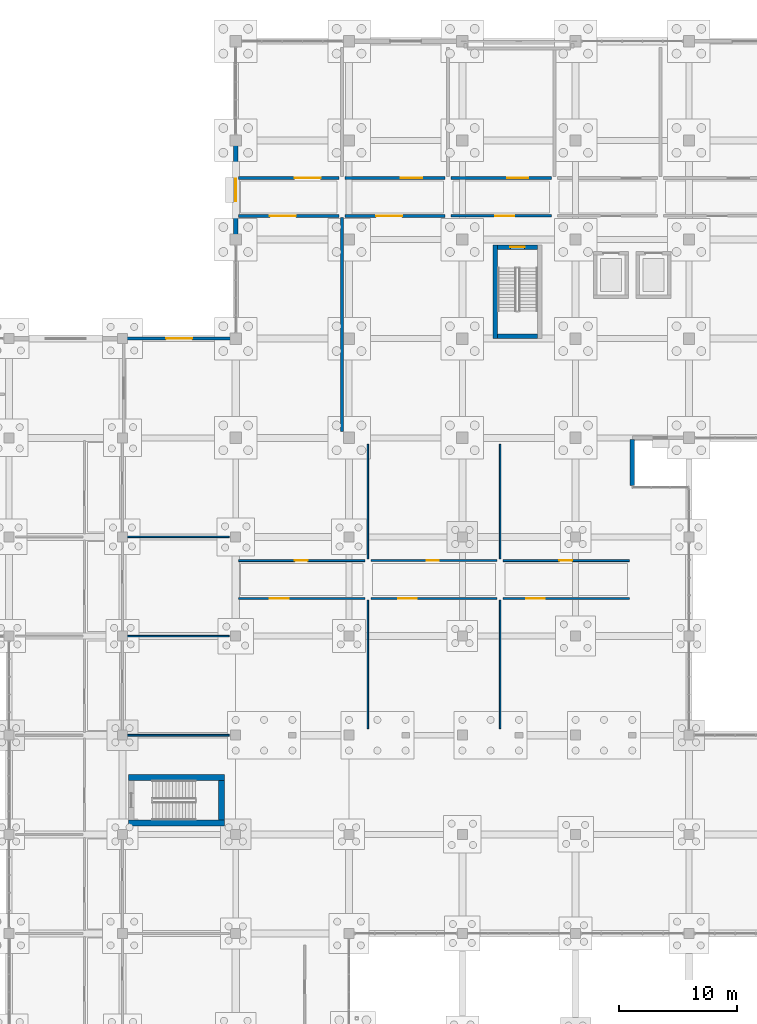
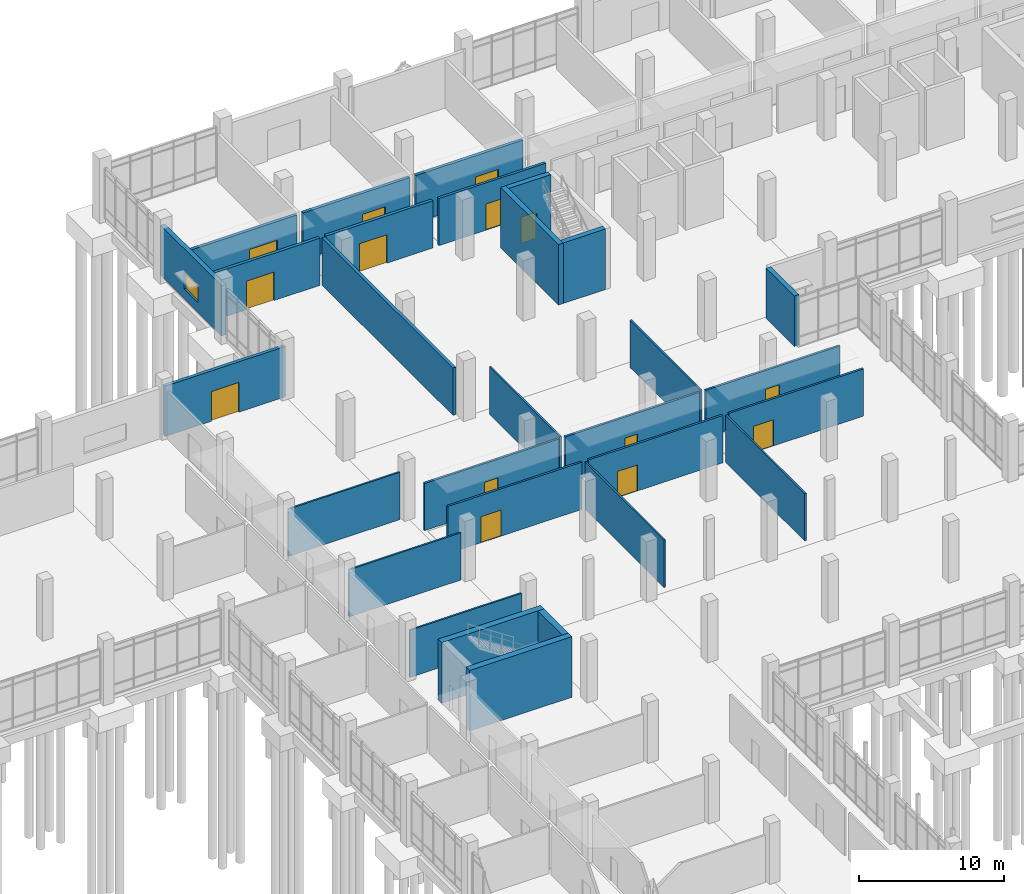
# One storey, part 115 of 136: 29 walls, 14 doors, 1 window, 15 openings.
"""IFC4 building model written with IfcOpenShell, lengths in metres."""

from ifc_helpers import new_model, si_unit, direction, frame, frame_2d, origin, place, context, subcontext, project, spatial, rectangle, extrude, material, layer, layer_set, type_object, element, fill, save


model = new_model("IFC4")

# Units and contexts
model_context = context("Model", 3, precision=1e-05, world=origin(), true_north=direction((0.0, 1.0)))
body_context = subcontext(model_context, "Body", "Model", "MODEL_VIEW")
ifc_project = project(units=[si_unit("LENGTHUNIT", "METRE"), si_unit("AREAUNIT", "SQUARE_METRE"), si_unit("VOLUMEUNIT", "CUBIC_METRE"), si_unit("PLANEANGLEUNIT", "RADIAN"), si_unit("MASSUNIT", "GRAM", prefix="KILO")], contexts=[model_context])

# Site, building, storey
site_placement = place(None, origin())
site = spatial("IfcSite", under=ifc_project, at=site_placement, CompositionType="ELEMENT")
building_placement = place(site_placement, origin())
building = spatial("IfcBuilding", under=site, at=building_placement, Name="Oolite Switchyard Hospital", CompositionType="ELEMENT")
storey_placement = place(building_placement, origin())
storey = spatial("IfcBuildingStorey", under=building, at=storey_placement, Name="L00", CompositionType="ELEMENT", Elevation=0.0)

# Wall, opening, door
ifc_material_1 = material(Name="Precast oolitic limestone architectural concrete C40/50", Category="masonry")
ifc_layer_1 = layer(ifc_material_1, 0.260009765625)
ifc_layer_set_1 = layer_set([ifc_layer_1], Name="WAL-EXT-260")
wall_type_1 = type_object("IfcWallType", Name="WAL-EXT-260", PredefinedType="SOLIDWALL", material=ifc_layer_set_1)
wall_1_placement = place(storey_placement, frame((124.800048828125, 109.199951171875, 0.0), z_axis=(0.0, 0.0, 1.0), x_axis=(1.0, 0.0, 0.0)))
wall_1 = element("IfcWall", 1, at=wall_1_placement, inside=storey, type_object=wall_type_1, Name="L00 Exterior Spandrel Wall 28", PredefinedType="SOLIDWALL", context=body_context, shape_type="SweptSolid", body=[
    extrude(rectangle(XDim=9.599853515625, YDim=0.260009765625, at=frame_2d((4.7998046875, 0.0))), origin(), (0.0, 0.0, 1.0), 4.239990234375),
])
opening_1_placement = place(wall_1_placement, frame((3.699951171875, 0.0, 0.0)))
opening_1 = element("IfcOpeningElement", 2, at=opening_1_placement, cuts=wall_1, Name="Opening EX-12", PredefinedType="OPENING", context=body_context, shape_type="SweptSolid", body=[
    extrude(rectangle(XDim=2.199951171875, YDim=2.5, at=frame_2d((1.10009765625, 1.25))), frame((0.0, 0.14013671875, 0.0), z_axis=(0.0, -1.0, 0.0), x_axis=(1.0, 0.0, 0.0)), (0.0, 0.0, 1.0), 0.280029296875),
])
ifc_material_2 = material(Name="Thermally broken aluminum frame with laminated impact glazing", Category="aluminium")
door_type_1 = type_object("IfcDoorType", Name="DR-EXT-220X250", OperationType="NOTDEFINED", PredefinedType="DOOR", material=ifc_material_2)
door_1_placement = place(opening_1_placement, origin())
door_1 = element("IfcDoor", 3, at=door_1_placement, inside=storey, type_object=door_type_1, Name="L00 Exterior EX EX-12", OperationType="DOUBLE_DOOR_SINGLE_SWING", OverallHeight=2.5, OverallWidth=2.199951171875, PredefinedType="DOOR", context=body_context, shape_type="SweptSolid", body=[
    extrude(rectangle(XDim=2.199951171875, YDim=2.5, at=frame_2d((1.10009765625, 1.25))), frame((0.0, 0.02490234375, 0.0), z_axis=(0.0, -1.0, 0.0), x_axis=(1.0, 0.0, 0.0)), (0.0, 0.0, 1.0), 0.050048828125),
])
fill(opening_1, door_1)

# Wall, opening, window
ifc_layer_2 = layer(ifc_material_1, 0.360107421875)
ifc_layer_set_2 = layer_set([ifc_layer_2], Name="WAL-EXT-360")
wall_type_2 = type_object("IfcWallType", Name="WAL-EXT-360", PredefinedType="SOLIDWALL", material=ifc_layer_set_2)
wall_2_placement = place(storey_placement, frame((134.39990234375, 117.60009765625, 0.0), z_axis=(0.0, 0.0, 1.0), x_axis=(0.0, 1.0, 0.0)))
wall_2 = element("IfcWall", 4, at=wall_2_placement, inside=storey, type_object=wall_type_2, Name="L00 Exterior Spandrel Wall 61", PredefinedType="SOLIDWALL", context=body_context, shape_type="SweptSolid", body=[
    extrude(rectangle(XDim=8.39990234375, YDim=0.360107421875, at=frame_2d((4.199951171875, 0.0))), origin(), (0.0, 0.0, 1.0), 4.239990234375),
])
opening_2_placement = place(wall_2_placement, frame((3.25, 0.0, 0.85009765625)))
opening_2 = element("IfcOpeningElement", 5, at=opening_2_placement, cuts=wall_2, Name="Opening WN-0020", PredefinedType="OPENING", context=body_context, shape_type="SweptSolid", body=[
    extrude(rectangle(XDim=1.89990234375, YDim=1.39990234375, at=frame_2d((0.949951171875, 0.699951171875))), frame((0.0, 0.18994140625, 0.0), z_axis=(0.0, -1.0, 0.0), x_axis=(1.0, 0.0, 0.0)), (0.0, 0.0, 1.0), 0.380126953125),
])
window_type = type_object("IfcWindowType", Name="WIN-IMP-190X140", PartitioningType="SINGLE_PANEL", PredefinedType="WINDOW", material=ifc_material_2)
window_placement = place(opening_2_placement, origin())
window = element("IfcWindow", 6, at=window_placement, inside=storey, type_object=window_type, Name="L00 Hurricane Impact Window WN-0020", OverallHeight=1.39990234375, OverallWidth=1.89990234375, PartitioningType="SINGLE_PANEL", PredefinedType="WINDOW", context=body_context, shape_type="SweptSolid", body=[
    extrude(rectangle(XDim=1.89990234375, YDim=1.39990234375, at=frame_2d((0.949951171875, 0.699951171875))), frame((0.0, 0.030029296875, 0.0), z_axis=(0.0, -1.0, 0.0), x_axis=(1.0, 0.0, 0.0)), (0.0, 0.0, 1.0), 0.06005859375),
])
fill(opening_2, window)

# Walls
ifc_layer_3 = layer(ifc_material_1, 0.3798828125)
ifc_layer_set_3 = layer_set([ifc_layer_3], Name="WAL-EXT-380")
wall_type_3 = type_object("IfcWallType", Name="WAL-EXT-380", PredefinedType="SOLIDWALL", material=ifc_layer_set_3)
wall_3_placement = place(storey_placement, frame((168.0, 100.639892578125, 0.0), z_axis=(0.0, 0.0, 1.0), x_axis=(0.0, -1.0, 0.0)))
element("IfcWall", 7, at=wall_3_placement, inside=storey, type_object=wall_type_3, Name="L00 Exterior Spandrel Wall 62", PredefinedType="SOLIDWALL", context=body_context, shape_type="SweptSolid", body=[
    extrude(rectangle(XDim=3.8798828125, YDim=0.3798828125, at=frame_2d((1.93994140625, 0.0))), origin(), (0.0, 0.0, 1.0), 4.239990234375),
])
ifc_material_3 = material(Name="Moisture-resistant gypsum board on steel studs", Category="steel")
ifc_layer_4 = layer(ifc_material_3, 0.135009765625)
ifc_layer_set_4 = layer_set([ifc_layer_4], Name="WAL-PART-135")
wall_type_4 = type_object("IfcWallType", Name="WAL-PART-135", PredefinedType="PARTITIONING", material=ifc_layer_set_4)
for number, where, z_axis, x_axis, name in (
    (8, (124.949951171875, 75.60009765625, 0.0), (0.0, 0.0, 1.0), (1.0, 0.0, 0.0), "L00 Interior Partition 70"),
    (9, (124.949951171875, 84.0, 0.0), (0.0, 0.0, 1.0), (1.0, 0.0, 0.0), "L00 Interior Partition 74"),
    (10, (124.949951171875, 92.39990234375, 0.0), (0.0, 0.0, 1.0), (1.0, 0.0, 0.0), "L00 Interior Partition 78"),
):
    element("IfcWall", number, at=place(storey_placement, frame(where, z_axis=z_axis, x_axis=x_axis)), inside=storey, type_object=wall_type_4, Name=name, PredefinedType="PARTITIONING", context=body_context, shape_type="SweptSolid", body=[
        extrude(rectangle(XDim=8.900146484375, YDim=0.135009765625, at=frame_2d((4.4501953125, 0.0))), origin(), (0.0, 0.0, 1.0), 3.97998046875),
    ])
wall_4_placement = place(storey_placement, frame((145.60009765625, 76.14990234375, 0.0), z_axis=(0.0, 0.0, 1.0), x_axis=(0.0, 1.0, 0.0)))
element("IfcWall", 11, at=wall_4_placement, inside=storey, type_object=wall_type_4, Name="L00 Interior Partition 918", PredefinedType="PARTITIONING", context=body_context, shape_type="SweptSolid", body=[
    extrude(rectangle(XDim=10.900146484375, YDim=0.135009765625, at=frame_2d((5.4501953125, 0.0))), origin(), (0.0, 0.0, 1.0), 3.97998046875),
])
wall_5_placement = place(storey_placement, frame((145.60009765625, 90.550048828125, 0.0), z_axis=(0.0, 0.0, 1.0), x_axis=(0.0, 1.0, 0.0)))
element("IfcWall", 12, at=wall_5_placement, inside=storey, type_object=wall_type_4, Name="L00 Interior Partition 920", PredefinedType="PARTITIONING", context=body_context, shape_type="SweptSolid", body=[
    extrude(rectangle(XDim=9.699951171875, YDim=0.135009765625, at=frame_2d((4.85009765625, 0.0))), origin(), (0.0, 0.0, 1.0), 3.97998046875),
])
wall_6_placement = place(storey_placement, frame((156.800048828125, 76.14990234375, 0.0), z_axis=(0.0, 0.0, 1.0), x_axis=(0.0, 1.0, 0.0)))
element("IfcWall", 13, at=wall_6_placement, inside=storey, type_object=wall_type_4, Name="L00 Interior Partition 922", PredefinedType="PARTITIONING", context=body_context, shape_type="SweptSolid", body=[
    extrude(rectangle(XDim=10.900146484375, YDim=0.135009765625, at=frame_2d((5.4501953125, 0.0))), origin(), (0.0, 0.0, 1.0), 3.97998046875),
])
wall_7_placement = place(storey_placement, frame((156.800048828125, 90.550048828125, 0.0), z_axis=(0.0, 0.0, 1.0), x_axis=(0.0, 1.0, 0.0)))
element("IfcWall", 14, at=wall_7_placement, inside=storey, type_object=wall_type_4, Name="L00 Interior Partition 924", PredefinedType="PARTITIONING", context=body_context, shape_type="SweptSolid", body=[
    extrude(rectangle(XDim=9.699951171875, YDim=0.135009765625, at=frame_2d((4.85009765625, 0.0))), origin(), (0.0, 0.0, 1.0), 3.97998046875),
])

# Wall, opening, door
ifc_layer_5 = layer(ifc_material_3, 0.1650390625)
ifc_layer_set_5 = layer_set([ifc_layer_5], Name="WAL-PART-165")
wall_type_5 = type_object("IfcWallType", Name="WAL-PART-165", PredefinedType="PARTITIONING", material=ifc_layer_set_5)
wall_8_placement = place(storey_placement, frame((134.64990234375, 87.199951171875, 0.0), z_axis=(0.0, 0.0, 1.0), x_axis=(1.0, 0.0, 0.0)))
wall_8 = element("IfcWall", 15, at=wall_8_placement, inside=storey, type_object=wall_type_5, Name="L00 Interior Partition 915", PredefinedType="PARTITIONING", context=body_context, shape_type="SweptSolid", body=[
    extrude(rectangle(XDim=10.7001953125, YDim=0.1650390625, at=frame_2d((5.35009765625, 0.0))), origin(), (0.0, 0.0, 1.0), 3.97998046875),
])
opening_3_placement = place(wall_8_placement, frame((2.64990234375, 0.0, 0.0)))
opening_3 = element("IfcOpeningElement", 16, at=opening_3_placement, cuts=wall_8, Name="Opening D-0507", PredefinedType="OPENING", context=body_context, shape_type="SweptSolid", body=[
    extrude(rectangle(XDim=1.60009765625, YDim=2.199951171875, at=frame_2d((0.800048828125, 1.10009765625))), frame((0.0, 0.092529296875, 0.0), z_axis=(0.0, -1.0, 0.0), x_axis=(1.0, 0.0, 0.0)), (0.0, 0.0, 1.0), 0.18505859375),
])
ifc_material_4 = material(Name="Hollow metal fire-rated steel door assembly", Category="steel")
door_type_2 = type_object("IfcDoorType", Name="DR-DBL-160X220", OperationType="NOTDEFINED", PredefinedType="DOOR", material=ifc_material_4)
door_2_placement = place(opening_3_placement, origin())
door_2 = element("IfcDoor", 17, at=door_2_placement, inside=storey, type_object=door_type_2, Name="L00 Interior Door D-0507", OperationType="DOUBLE_DOOR_SINGLE_SWING", OverallHeight=2.199951171875, OverallWidth=1.60009765625, PredefinedType="DOOR", context=body_context, shape_type="SweptSolid", body=[
    extrude(rectangle(XDim=1.60009765625, YDim=2.199951171875, at=frame_2d((0.800048828125, 1.10009765625))), frame((0.0, 0.02490234375, 0.0), z_axis=(0.0, -1.0, 0.0), x_axis=(1.0, 0.0, 0.0)), (0.0, 0.0, 1.0), 0.050048828125),
])
fill(opening_3, door_2)

wall_9_placement = place(storey_placement, frame((134.64990234375, 90.39990234375, 0.0), z_axis=(0.0, 0.0, 1.0), x_axis=(1.0, 0.0, 0.0)))
wall_9 = element("IfcWall", 18, at=wall_9_placement, inside=storey, type_object=wall_type_5, Name="L00 Interior Partition 916", PredefinedType="PARTITIONING", context=body_context, shape_type="SweptSolid", body=[
    extrude(rectangle(XDim=10.7001953125, YDim=0.1650390625, at=frame_2d((5.35009765625, 0.0))), origin(), (0.0, 0.0, 1.0), 3.97998046875),
])
opening_4_placement = place(wall_9_placement, frame((4.75, 0.0, 0.0)))
opening_4 = element("IfcOpeningElement", 19, at=opening_4_placement, cuts=wall_9, Name="Opening D-0508", PredefinedType="OPENING", context=body_context, shape_type="SweptSolid", body=[
    extrude(rectangle(XDim=1.10009765625, YDim=2.39990234375, at=frame_2d((0.550048828125, 1.199951171875))), frame((0.0, 0.092529296875, 0.0), z_axis=(0.0, -1.0, 0.0), x_axis=(1.0, 0.0, 0.0)), (0.0, 0.0, 1.0), 0.18505859375),
])
door_type_3 = type_object("IfcDoorType", Name="DR-LAB-110X240", OperationType="NOTDEFINED", PredefinedType="DOOR", material=ifc_material_4)
door_3_placement = place(opening_4_placement, origin())
door_3 = element("IfcDoor", 20, at=door_3_placement, inside=storey, type_object=door_type_3, Name="L00 Interior Door D-0508", OperationType="SINGLE_SWING_RIGHT", OverallHeight=2.39990234375, OverallWidth=1.10009765625, PredefinedType="DOOR", context=body_context, shape_type="SweptSolid", body=[
    extrude(rectangle(XDim=1.10009765625, YDim=2.39990234375, at=frame_2d((0.550048828125, 1.199951171875))), frame((0.0, 0.02490234375, 0.0), z_axis=(0.0, -1.0, 0.0), x_axis=(1.0, 0.0, 0.0)), (0.0, 0.0, 1.0), 0.050048828125),
])
fill(opening_4, door_3)

wall_10_placement = place(storey_placement, frame((145.85009765625, 87.199951171875, 0.0), z_axis=(0.0, 0.0, 1.0), x_axis=(1.0, 0.0, 0.0)))
wall_10 = element("IfcWall", 21, at=wall_10_placement, inside=storey, type_object=wall_type_5, Name="L00 Interior Partition 917", PredefinedType="PARTITIONING", context=body_context, shape_type="SweptSolid", body=[
    extrude(rectangle(XDim=10.699951171875, YDim=0.1650390625, at=frame_2d((5.35009765625, 0.0))), origin(), (0.0, 0.0, 1.0), 3.97998046875),
])
opening_5_placement = place(wall_10_placement, frame((2.300048828125, 0.0, 0.0)))
opening_5 = element("IfcOpeningElement", 22, at=opening_5_placement, cuts=wall_10, Name="Opening D-0509", PredefinedType="OPENING", context=body_context, shape_type="SweptSolid", body=[
    extrude(rectangle(XDim=1.60009765625, YDim=2.199951171875, at=frame_2d((0.800048828125, 1.10009765625))), frame((0.0, 0.092529296875, 0.0), z_axis=(0.0, -1.0, 0.0), x_axis=(1.0, 0.0, 0.0)), (0.0, 0.0, 1.0), 0.18505859375),
])
door_4_placement = place(opening_5_placement, origin())
door_4 = element("IfcDoor", 23, at=door_4_placement, inside=storey, type_object=door_type_2, Name="L00 Interior Door D-0509", OperationType="DOUBLE_DOOR_SINGLE_SWING", OverallHeight=2.199951171875, OverallWidth=1.60009765625, PredefinedType="DOOR", context=body_context, shape_type="SweptSolid", body=[
    extrude(rectangle(XDim=1.60009765625, YDim=2.199951171875, at=frame_2d((0.800048828125, 1.10009765625))), frame((0.0, 0.02490234375, 0.0), z_axis=(0.0, -1.0, 0.0), x_axis=(1.0, 0.0, 0.0)), (0.0, 0.0, 1.0), 0.050048828125),
])
fill(opening_5, door_4)

wall_11_placement = place(storey_placement, frame((145.85009765625, 90.39990234375, 0.0), z_axis=(0.0, 0.0, 1.0), x_axis=(1.0, 0.0, 0.0)))
wall_11 = element("IfcWall", 24, at=wall_11_placement, inside=storey, type_object=wall_type_5, Name="L00 Interior Partition 919", PredefinedType="PARTITIONING", context=body_context, shape_type="SweptSolid", body=[
    extrude(rectangle(XDim=10.699951171875, YDim=0.1650390625, at=frame_2d((5.35009765625, 0.0))), origin(), (0.0, 0.0, 1.0), 3.97998046875),
])
opening_6_placement = place(wall_11_placement, frame((4.75, 0.0, 0.0)))
opening_6 = element("IfcOpeningElement", 25, at=opening_6_placement, cuts=wall_11, Name="Opening D-0510", PredefinedType="OPENING", context=body_context, shape_type="SweptSolid", body=[
    extrude(rectangle(XDim=1.0, YDim=2.199951171875, at=frame_2d((0.5, 1.10009765625))), frame((0.0, 0.092529296875, 0.0), z_axis=(0.0, -1.0, 0.0), x_axis=(1.0, 0.0, 0.0)), (0.0, 0.0, 1.0), 0.18505859375),
])
ifc_material_5 = material(Name="Solid-core antimicrobial hardwood leaf in steel frame", Category="steel")
door_type_4 = type_object("IfcDoorType", Name="DR-OFF-100X220", OperationType="NOTDEFINED", PredefinedType="DOOR", material=ifc_material_5)
door_5_placement = place(opening_6_placement, origin())
door_5 = element("IfcDoor", 26, at=door_5_placement, inside=storey, type_object=door_type_4, Name="L00 Interior Door D-0510", OperationType="SINGLE_SWING_LEFT", OverallHeight=2.199951171875, OverallWidth=1.0, PredefinedType="DOOR", context=body_context, shape_type="SweptSolid", body=[
    extrude(rectangle(XDim=1.0, YDim=2.199951171875, at=frame_2d((0.5, 1.10009765625))), frame((0.0, 0.02490234375, 0.0), z_axis=(0.0, -1.0, 0.0), x_axis=(1.0, 0.0, 0.0)), (0.0, 0.0, 1.0), 0.050048828125),
])
fill(opening_6, door_5)

wall_12_placement = place(storey_placement, frame((157.050048828125, 87.199951171875, 0.0), z_axis=(0.0, 0.0, 1.0), x_axis=(1.0, 0.0, 0.0)))
wall_12 = element("IfcWall", 27, at=wall_12_placement, inside=storey, type_object=wall_type_5, Name="L00 Interior Partition 921", PredefinedType="PARTITIONING", context=body_context, shape_type="SweptSolid", body=[
    extrude(rectangle(XDim=10.699951171875, YDim=0.1650390625, at=frame_2d((5.35009765625, 0.0))), origin(), (0.0, 0.0, 1.0), 3.97998046875),
])
opening_7_placement = place(wall_12_placement, frame((1.949951171875, 0.0, 0.0)))
opening_7 = element("IfcOpeningElement", 28, at=opening_7_placement, cuts=wall_12, Name="Opening D-0511", PredefinedType="OPENING", context=body_context, shape_type="SweptSolid", body=[
    extrude(rectangle(XDim=1.60009765625, YDim=2.199951171875, at=frame_2d((0.800048828125, 1.10009765625))), frame((0.0, 0.092529296875, 0.0), z_axis=(0.0, -1.0, 0.0), x_axis=(1.0, 0.0, 0.0)), (0.0, 0.0, 1.0), 0.18505859375),
])
door_6_placement = place(opening_7_placement, origin())
door_6 = element("IfcDoor", 29, at=door_6_placement, inside=storey, type_object=door_type_2, Name="L00 Interior Door D-0511", OperationType="DOUBLE_DOOR_SINGLE_SWING", OverallHeight=2.199951171875, OverallWidth=1.60009765625, PredefinedType="DOOR", context=body_context, shape_type="SweptSolid", body=[
    extrude(rectangle(XDim=1.60009765625, YDim=2.199951171875, at=frame_2d((0.800048828125, 1.10009765625))), frame((0.0, 0.02490234375, 0.0), z_axis=(0.0, -1.0, 0.0), x_axis=(1.0, 0.0, 0.0)), (0.0, 0.0, 1.0), 0.050048828125),
])
fill(opening_7, door_6)

wall_13_placement = place(storey_placement, frame((157.050048828125, 90.39990234375, 0.0), z_axis=(0.0, 0.0, 1.0), x_axis=(1.0, 0.0, 0.0)))
wall_13 = element("IfcWall", 30, at=wall_13_placement, inside=storey, type_object=wall_type_5, Name="L00 Interior Partition 923", PredefinedType="PARTITIONING", context=body_context, shape_type="SweptSolid", body=[
    extrude(rectangle(XDim=10.699951171875, YDim=0.1650390625, at=frame_2d((5.35009765625, 0.0))), origin(), (0.0, 0.0, 1.0), 3.97998046875),
])
opening_8_placement = place(wall_13_placement, frame((4.75, 0.0, 0.0)))
opening_8 = element("IfcOpeningElement", 31, at=opening_8_placement, cuts=wall_13, Name="Opening D-0512", PredefinedType="OPENING", context=body_context, shape_type="SweptSolid", body=[
    extrude(rectangle(XDim=1.10009765625, YDim=2.39990234375, at=frame_2d((0.550048828125, 1.199951171875))), frame((0.0, 0.092529296875, 0.0), z_axis=(0.0, -1.0, 0.0), x_axis=(1.0, 0.0, 0.0)), (0.0, 0.0, 1.0), 0.18505859375),
])
door_7_placement = place(opening_8_placement, origin())
door_7 = element("IfcDoor", 32, at=door_7_placement, inside=storey, type_object=door_type_3, Name="L00 Interior Door D-0512", OperationType="SINGLE_SWING_RIGHT", OverallHeight=2.39990234375, OverallWidth=1.10009765625, PredefinedType="DOOR", context=body_context, shape_type="SweptSolid", body=[
    extrude(rectangle(XDim=1.10009765625, YDim=2.39990234375, at=frame_2d((0.550048828125, 1.199951171875))), frame((0.0, 0.02490234375, 0.0), z_axis=(0.0, -1.0, 0.0), x_axis=(1.0, 0.0, 0.0)), (0.0, 0.0, 1.0), 0.050048828125),
])
fill(opening_8, door_7)

ifc_material_6 = material(Name="Precast concrete C40/50", Category="concrete")
ifc_layer_6 = layer(ifc_material_6, 0.239990234375)
ifc_layer_set_6 = layer_set([ifc_layer_6], Name="WAL-PLANT-240")
wall_type_6 = type_object("IfcWallType", Name="WAL-PLANT-240", PredefinedType="PARTITIONING", material=ifc_layer_set_6)
wall_14_placement = place(storey_placement, frame((134.64990234375, 119.60009765625, 0.0), z_axis=(0.0, 0.0, 1.0), x_axis=(1.0, 0.0, 0.0)))
wall_14 = element("IfcWall", 33, at=wall_14_placement, inside=storey, type_object=wall_type_6, Name="L00 Interior Partition 138", PredefinedType="PARTITIONING", context=body_context, shape_type="SweptSolid", body=[
    extrude(rectangle(XDim=8.5, YDim=0.239990234375, at=frame_2d((4.25, 0.0))), origin(), (0.0, 0.0, 1.0), 3.97998046875),
])
opening_9_placement = place(wall_14_placement, frame((2.64990234375, 0.0, 0.0)))
opening_9 = element("IfcOpeningElement", 34, at=opening_9_placement, cuts=wall_14, Name="Opening D-0084", PredefinedType="OPENING", context=body_context, shape_type="SweptSolid", body=[
    extrude(rectangle(XDim=2.199951171875, YDim=2.39990234375, at=frame_2d((1.10009765625, 1.199951171875))), frame((0.0, 0.1298828125, 0.0), z_axis=(0.0, -1.0, 0.0), x_axis=(1.0, 0.0, 0.0)), (0.0, 0.0, 1.0), 0.260009765625),
])
door_type_5 = type_object("IfcDoorType", Name="DR-PLNT-220X240", OperationType="NOTDEFINED", PredefinedType="DOOR", material=ifc_material_4)
door_8_placement = place(opening_9_placement, origin())
door_8 = element("IfcDoor", 35, at=door_8_placement, inside=storey, type_object=door_type_5, Name="L00 Interior Door D-0084", OperationType="DOUBLE_DOOR_SINGLE_SWING", OverallHeight=2.39990234375, OverallWidth=2.199951171875, PredefinedType="DOOR", context=body_context, shape_type="SweptSolid", body=[
    extrude(rectangle(XDim=2.199951171875, YDim=2.39990234375, at=frame_2d((1.10009765625, 1.199951171875))), frame((0.0, 0.02490234375, 0.0), z_axis=(0.0, -1.0, 0.0), x_axis=(1.0, 0.0, 0.0)), (0.0, 0.0, 1.0), 0.050048828125),
])
fill(opening_9, door_8)

wall_15_placement = place(storey_placement, frame((134.64990234375, 122.800048828125, 0.0), z_axis=(0.0, 0.0, 1.0), x_axis=(1.0, 0.0, 0.0)))
wall_15 = element("IfcWall", 36, at=wall_15_placement, inside=storey, type_object=wall_type_6, Name="L00 Interior Partition 139", PredefinedType="PARTITIONING", context=body_context, shape_type="SweptSolid", body=[
    extrude(rectangle(XDim=8.5, YDim=0.239990234375, at=frame_2d((4.25, 0.0))), origin(), (0.0, 0.0, 1.0), 3.97998046875),
])
opening_10_placement = place(wall_15_placement, frame((4.75, 0.0, 0.0)))
opening_10 = element("IfcOpeningElement", 37, at=opening_10_placement, cuts=wall_15, Name="Opening D-0085", PredefinedType="OPENING", context=body_context, shape_type="SweptSolid", body=[
    extrude(rectangle(XDim=2.199951171875, YDim=2.39990234375, at=frame_2d((1.10009765625, 1.199951171875))), frame((0.0, 0.1298828125, 0.0), z_axis=(0.0, -1.0, 0.0), x_axis=(1.0, 0.0, 0.0)), (0.0, 0.0, 1.0), 0.260009765625),
])
door_9_placement = place(opening_10_placement, origin())
door_9 = element("IfcDoor", 38, at=door_9_placement, inside=storey, type_object=door_type_5, Name="L00 Interior Door D-0085", OperationType="DOUBLE_DOOR_SINGLE_SWING", OverallHeight=2.39990234375, OverallWidth=2.199951171875, PredefinedType="DOOR", context=body_context, shape_type="SweptSolid", body=[
    extrude(rectangle(XDim=2.199951171875, YDim=2.39990234375, at=frame_2d((1.10009765625, 1.199951171875))), frame((0.0, 0.02490234375, 0.0), z_axis=(0.0, -1.0, 0.0), x_axis=(1.0, 0.0, 0.0)), (0.0, 0.0, 1.0), 0.050048828125),
])
fill(opening_10, door_9)

wall_16_placement = place(storey_placement, frame((143.64990234375, 119.60009765625, 0.0), z_axis=(0.0, 0.0, 1.0), x_axis=(1.0, 0.0, 0.0)))
wall_16 = element("IfcWall", 39, at=wall_16_placement, inside=storey, type_object=wall_type_6, Name="L00 Interior Partition 140", PredefinedType="PARTITIONING", context=body_context, shape_type="SweptSolid", body=[
    extrude(rectangle(XDim=8.5, YDim=0.239990234375, at=frame_2d((4.25, 0.0))), origin(), (0.0, 0.0, 1.0), 3.97998046875),
])
opening_11_placement = place(wall_16_placement, frame((2.64990234375, 0.0, 0.0)))
opening_11 = element("IfcOpeningElement", 40, at=opening_11_placement, cuts=wall_16, Name="Opening D-0086", PredefinedType="OPENING", context=body_context, shape_type="SweptSolid", body=[
    extrude(rectangle(XDim=2.199951171875, YDim=2.39990234375, at=frame_2d((1.10009765625, 1.199951171875))), frame((0.0, 0.1298828125, 0.0), z_axis=(0.0, -1.0, 0.0), x_axis=(1.0, 0.0, 0.0)), (0.0, 0.0, 1.0), 0.260009765625),
])
door_10_placement = place(opening_11_placement, origin())
door_10 = element("IfcDoor", 41, at=door_10_placement, inside=storey, type_object=door_type_5, Name="L00 Interior Door D-0086", OperationType="DOUBLE_DOOR_SINGLE_SWING", OverallHeight=2.39990234375, OverallWidth=2.199951171875, PredefinedType="DOOR", context=body_context, shape_type="SweptSolid", body=[
    extrude(rectangle(XDim=2.199951171875, YDim=2.39990234375, at=frame_2d((1.10009765625, 1.199951171875))), frame((0.0, 0.02490234375, 0.0), z_axis=(0.0, -1.0, 0.0), x_axis=(1.0, 0.0, 0.0)), (0.0, 0.0, 1.0), 0.050048828125),
])
fill(opening_11, door_10)

# Wall
wall_17_placement = place(storey_placement, frame((143.39990234375, 101.35009765625, 0.0), z_axis=(0.0, 0.0, 1.0), x_axis=(0.0, 1.0, 0.0)))
element("IfcWall", 42, at=wall_17_placement, inside=storey, type_object=wall_type_6, Name="L00 Interior Partition 141", PredefinedType="PARTITIONING", context=body_context, shape_type="SweptSolid", body=[
    extrude(rectangle(XDim=18.099853515625, YDim=0.239990234375, at=frame_2d((9.0498046875, 0.0))), origin(), (0.0, 0.0, 1.0), 3.97998046875),
])

# Wall, opening, door
wall_18_placement = place(storey_placement, frame((143.64990234375, 122.800048828125, 0.0), z_axis=(0.0, 0.0, 1.0), x_axis=(1.0, 0.0, 0.0)))
wall_18 = element("IfcWall", 43, at=wall_18_placement, inside=storey, type_object=wall_type_6, Name="L00 Interior Partition 142", PredefinedType="PARTITIONING", context=body_context, shape_type="SweptSolid", body=[
    extrude(rectangle(XDim=8.5, YDim=0.239990234375, at=frame_2d((4.25, 0.0))), origin(), (0.0, 0.0, 1.0), 3.97998046875),
])
opening_12_placement = place(wall_18_placement, frame((4.75, 0.0, 0.0)))
opening_12 = element("IfcOpeningElement", 44, at=opening_12_placement, cuts=wall_18, Name="Opening D-0087", PredefinedType="OPENING", context=body_context, shape_type="SweptSolid", body=[
    extrude(rectangle(XDim=1.800048828125, YDim=2.199951171875, at=frame_2d((0.89990234375, 1.10009765625))), frame((0.0, 0.1298828125, 0.0), z_axis=(0.0, -1.0, 0.0), x_axis=(1.0, 0.0, 0.0)), (0.0, 0.0, 1.0), 0.260009765625),
])
door_type_6 = type_object("IfcDoorType", Name="DR-DBL-180X220", OperationType="NOTDEFINED", PredefinedType="DOOR", material=ifc_material_4)
door_11_placement = place(opening_12_placement, origin())
door_11 = element("IfcDoor", 45, at=door_11_placement, inside=storey, type_object=door_type_6, Name="L00 Interior Door D-0087", OperationType="DOUBLE_DOOR_SINGLE_SWING", OverallHeight=2.199951171875, OverallWidth=1.800048828125, PredefinedType="DOOR", context=body_context, shape_type="SweptSolid", body=[
    extrude(rectangle(XDim=1.800048828125, YDim=2.199951171875, at=frame_2d((0.89990234375, 1.10009765625))), frame((0.0, 0.02490234375, 0.0), z_axis=(0.0, -1.0, 0.0), x_axis=(1.0, 0.0, 0.0)), (0.0, 0.0, 1.0), 0.050048828125),
])
fill(opening_12, door_11)

wall_19_placement = place(storey_placement, frame((152.64990234375, 122.800048828125, 0.0), z_axis=(0.0, 0.0, 1.0), x_axis=(1.0, 0.0, 0.0)))
wall_19 = element("IfcWall", 46, at=wall_19_placement, inside=storey, type_object=wall_type_6, Name="L00 Interior Partition 145", PredefinedType="PARTITIONING", context=body_context, shape_type="SweptSolid", body=[
    extrude(rectangle(XDim=8.5, YDim=0.239990234375, at=frame_2d((4.25, 0.0))), origin(), (0.0, 0.0, 1.0), 3.97998046875),
])
opening_13_placement = place(wall_19_placement, frame((4.75, 0.0, 0.0)))
opening_13 = element("IfcOpeningElement", 47, at=opening_13_placement, cuts=wall_19, Name="Opening D-0089", PredefinedType="OPENING", context=body_context, shape_type="SweptSolid", body=[
    extrude(rectangle(XDim=1.800048828125, YDim=2.199951171875, at=frame_2d((0.89990234375, 1.10009765625))), frame((0.0, 0.1298828125, 0.0), z_axis=(0.0, -1.0, 0.0), x_axis=(1.0, 0.0, 0.0)), (0.0, 0.0, 1.0), 0.260009765625),
])
door_12_placement = place(opening_13_placement, origin())
door_12 = element("IfcDoor", 48, at=door_12_placement, inside=storey, type_object=door_type_6, Name="L00 Interior Door D-0089", OperationType="DOUBLE_DOOR_SINGLE_SWING", OverallHeight=2.199951171875, OverallWidth=1.800048828125, PredefinedType="DOOR", context=body_context, shape_type="SweptSolid", body=[
    extrude(rectangle(XDim=1.800048828125, YDim=2.199951171875, at=frame_2d((0.89990234375, 1.10009765625))), frame((0.0, 0.02490234375, 0.0), z_axis=(0.0, -1.0, 0.0), x_axis=(1.0, 0.0, 0.0)), (0.0, 0.0, 1.0), 0.050048828125),
])
fill(opening_13, door_12)

# Walls
ifc_material_7 = material(Name="Concrete C50/60", Category="concrete")
ifc_layer_7 = layer(ifc_material_7, 0.39990234375)
ifc_layer_set_7 = layer_set([ifc_layer_7], Name="WAL-SHR-400")
wall_type_7 = type_object("IfcWallType", Name="WAL-SHR-400", PredefinedType="SHEAR", material=ifc_layer_set_7)
wall_20_placement = place(storey_placement, frame((156.39990234375, 117.14990234375, 0.0), z_axis=(0.0, 0.0, 1.0), x_axis=(0.0, -1.0, 0.0)))
element("IfcWall", 49, at=wall_20_placement, inside=storey, type_object=wall_type_7, Name="L00 Core Shear Wall ST-03", PredefinedType="SHEAR", context=body_context, shape_type="SweptSolid", body=[
    extrude(rectangle(XDim=7.949951171875, YDim=0.39990234375, at=frame_2d((3.97509765625, 0.0))), origin(), (0.0, 0.0, 1.0), 5.10009765625),
])
wall_21_placement = place(storey_placement, frame((156.60009765625, 109.39990234375, 0.0), z_axis=(0.0, 0.0, 1.0), x_axis=(1.0, 0.0, 0.0)))
element("IfcWall", 50, at=wall_21_placement, inside=storey, type_object=wall_type_7, Name="L00 Core Shear Wall ST-03", PredefinedType="SHEAR", context=body_context, shape_type="SweptSolid", body=[
    extrude(rectangle(XDim=3.35986328125, YDim=0.39990234375, at=frame_2d((1.679931640625, 0.0))), origin(), (0.0, 0.0, 1.0), 5.10009765625),
])

# Wall, opening, door
wall_22_placement = place(storey_placement, frame((159.9599609375, 116.949951171875, 0.0), z_axis=(0.0, 0.0, 1.0), x_axis=(-1.0, 0.0, 0.0)))
wall_22 = element("IfcWall", 51, at=wall_22_placement, inside=storey, type_object=wall_type_7, Name="L00 Core Shear Wall ST-03", PredefinedType="SHEAR", context=body_context, shape_type="SweptSolid", body=[
    extrude(rectangle(XDim=3.35986328125, YDim=0.39990234375, at=frame_2d((1.679931640625, 0.0))), origin(), (0.0, 0.0, 1.0), 5.10009765625),
])
opening_14_placement = place(wall_22_placement, frame((1.080078125, 0.0, 0.0)))
opening_14 = element("IfcOpeningElement", 52, at=opening_14_placement, cuts=wall_22, Name="Opening SD-015", PredefinedType="OPENING", context=body_context, shape_type="SweptSolid", body=[
    extrude(rectangle(XDim=1.199951171875, YDim=2.199951171875, at=frame_2d((0.60009765625, 1.10009765625))), frame((0.0, 0.2099609375, 0.0), z_axis=(0.0, -1.0, 0.0), x_axis=(1.0, 0.0, 0.0)), (0.0, 0.0, 1.0), 0.419921875),
])
door_type_7 = type_object("IfcDoorType", Name="DR-STR-120X220", OperationType="NOTDEFINED", PredefinedType="DOOR", material=ifc_material_4)
door_13_placement = place(opening_14_placement, origin())
door_13 = element("IfcDoor", 53, at=door_13_placement, inside=storey, type_object=door_type_7, Name="L00 ST-03 Exit Stair Door SD-015", OperationType="SINGLE_SWING_LEFT", OverallHeight=2.199951171875, OverallWidth=1.199951171875, PredefinedType="DOOR", context=body_context, shape_type="SweptSolid", body=[
    extrude(rectangle(XDim=1.199951171875, YDim=2.199951171875, at=frame_2d((0.60009765625, 1.10009765625))), frame((0.0, 0.02490234375, 0.0), z_axis=(0.0, -1.0, 0.0), x_axis=(1.0, 0.0, 0.0)), (0.0, 0.0, 1.0), 0.050048828125),
])
fill(opening_14, door_13)

# Walls
ifc_layer_8 = layer(ifc_material_7, 0.5)
ifc_layer_set_8 = layer_set([ifc_layer_8], Name="WAL-SHR-500")
wall_type_8 = type_object("IfcWallType", Name="WAL-SHR-500", PredefinedType="SHEAR", material=ifc_layer_set_8)
wall_23_placement = place(storey_placement, frame((125.300048828125, 68.14990234375, 0.0), z_axis=(0.0, 0.0, 1.0), x_axis=(1.0, 0.0, 0.0)))
element("IfcWall", 54, at=wall_23_placement, inside=storey, type_object=wall_type_8, Name="L00 Core Shear Wall ST-10", PredefinedType="SHEAR", context=body_context, shape_type="SweptSolid", body=[
    extrude(rectangle(XDim=8.14990234375, YDim=0.5, at=frame_2d((4.074951171875, 0.0))), origin(), (0.0, 0.0, 1.0), 5.10009765625),
])
wall_24_placement = place(storey_placement, frame((133.199951171875, 68.39990234375, 0.0), z_axis=(0.0, 0.0, 1.0), x_axis=(0.0, 1.0, 0.0)))
element("IfcWall", 55, at=wall_24_placement, inside=storey, type_object=wall_type_8, Name="L00 Core Shear Wall ST-10", PredefinedType="SHEAR", context=body_context, shape_type="SweptSolid", body=[
    extrude(rectangle(XDim=3.360107421875, YDim=0.5, at=frame_2d((1.68017578125, 0.0))), origin(), (0.0, 0.0, 1.0), 5.10009765625),
])
wall_25_placement = place(storey_placement, frame((133.449951171875, 72.010009765625, 0.0), z_axis=(0.0, 0.0, 1.0), x_axis=(-1.0, 0.0, 0.0)))
element("IfcWall", 56, at=wall_25_placement, inside=storey, type_object=wall_type_8, Name="L00 Core Shear Wall ST-10", PredefinedType="SHEAR", context=body_context, shape_type="SweptSolid", body=[
    extrude(rectangle(XDim=8.14990234375, YDim=0.5, at=frame_2d((4.074951171875, 0.0))), origin(), (0.0, 0.0, 1.0), 5.10009765625),
])

# Wall, opening, door
ifc_layer_9 = layer(ifc_material_3, 0.199951171875)
ifc_layer_set_9 = layer_set([ifc_layer_9], Name="WAL-SMK-200")
wall_type_9 = type_object("IfcWallType", Name="WAL-SMK-200", PredefinedType="PARTITIONING", material=ifc_layer_set_9)
wall_26_placement = place(storey_placement, frame((152.64990234375, 119.60009765625, 0.0), z_axis=(0.0, 0.0, 1.0), x_axis=(1.0, 0.0, 0.0)))
wall_26 = element("IfcWall", 57, at=wall_26_placement, inside=storey, type_object=wall_type_9, Name="L00 Interior Partition 144", PredefinedType="PARTITIONING", context=body_context, shape_type="SweptSolid", body=[
    extrude(rectangle(XDim=8.5, YDim=0.199951171875, at=frame_2d((4.25, 0.0))), origin(), (0.0, 0.0, 1.0), 3.97998046875),
])
opening_15_placement = place(wall_26_placement, frame((3.75, 0.0, 0.0)))
opening_15 = element("IfcOpeningElement", 58, at=opening_15_placement, cuts=wall_26, Name="Opening D-0088", PredefinedType="OPENING", context=body_context, shape_type="SweptSolid", body=[
    extrude(rectangle(XDim=1.60009765625, YDim=2.199951171875, at=frame_2d((0.800048828125, 1.10009765625))), frame((0.0, 0.10986328125, 0.0), z_axis=(0.0, -1.0, 0.0), x_axis=(1.0, 0.0, 0.0)), (0.0, 0.0, 1.0), 0.219970703125),
])
door_14_placement = place(opening_15_placement, origin())
door_14 = element("IfcDoor", 59, at=door_14_placement, inside=storey, type_object=door_type_2, Name="L00 Interior Door D-0088", OperationType="DOUBLE_DOOR_SINGLE_SWING", OverallHeight=2.199951171875, OverallWidth=1.60009765625, PredefinedType="DOOR", context=body_context, shape_type="SweptSolid", body=[
    extrude(rectangle(XDim=1.60009765625, YDim=2.199951171875, at=frame_2d((0.800048828125, 1.10009765625))), frame((0.0, 0.02490234375, 0.0), z_axis=(0.0, -1.0, 0.0), x_axis=(1.0, 0.0, 0.0)), (0.0, 0.0, 1.0), 0.050048828125),
])
fill(opening_15, door_14)

save(model, "model.ifc")
